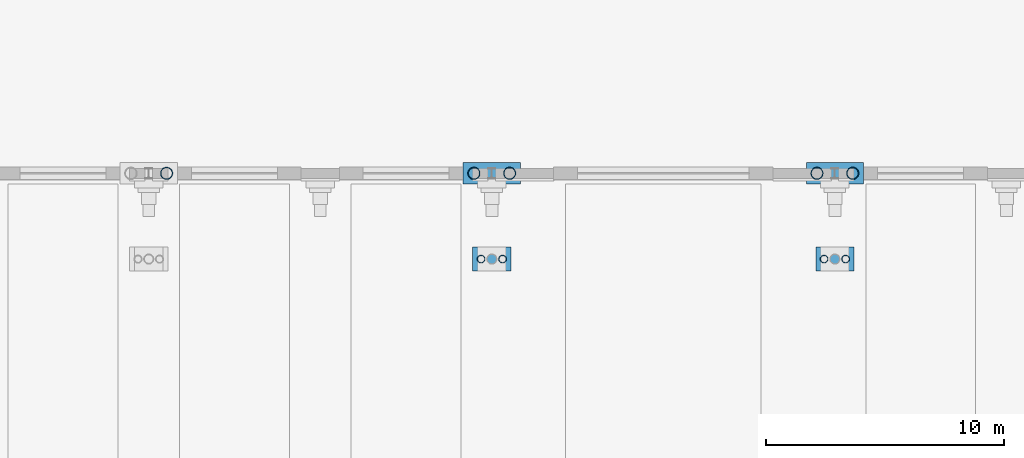
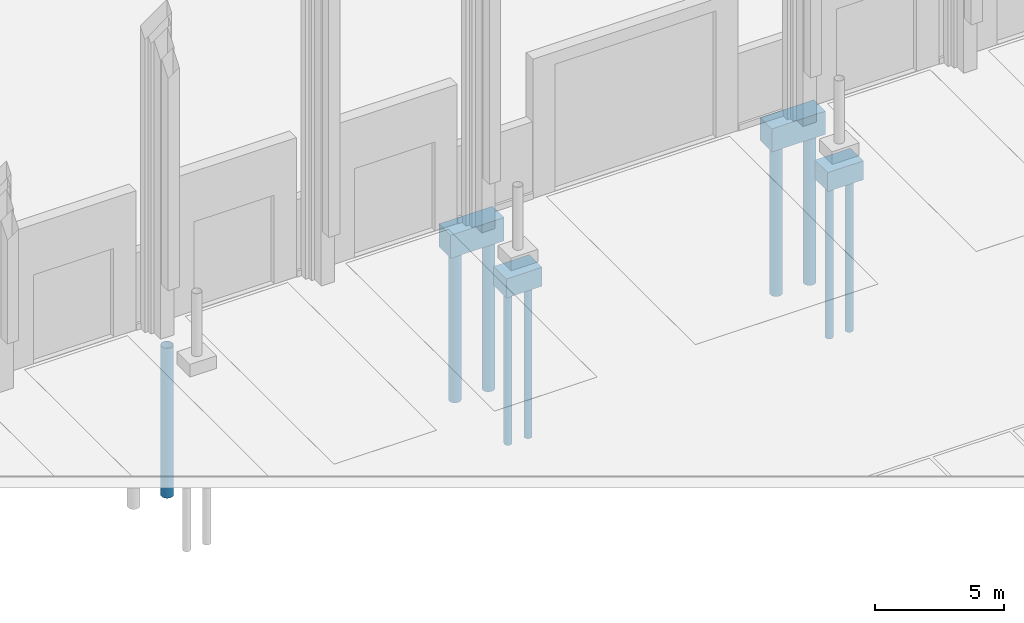
# One storey, part 16 of 148: 9 piles, 4 footings.
"""IFC4 building model written with IfcOpenShell, lengths in metres."""

from ifc_helpers import new_model, si_unit, direction, frame, origin, origin_2d, place, context, subcontext, project, spatial, rectangle, hollow_circle, extrude, material, layer, layer_set, material_profile, profile_set, type_object, element, save


model = new_model("IFC4")

# Units and contexts
model_context = context("Model", 3, precision=1e-05, world=origin(), true_north=direction((0.0, 1.0)))
body_context = subcontext(model_context, "Body", "Model", "MODEL_VIEW")
ifc_project = project(units=[si_unit("LENGTHUNIT", "METRE"), si_unit("AREAUNIT", "SQUARE_METRE"), si_unit("VOLUMEUNIT", "CUBIC_METRE"), si_unit("PLANEANGLEUNIT", "RADIAN"), si_unit("MASSUNIT", "GRAM", prefix="KILO")], contexts=[model_context])

# Site, building, storey
site_placement = place(None, origin())
site = spatial("IfcSite", under=ifc_project, at=site_placement, CompositionType="ELEMENT")
building_placement = place(site_placement, origin())
building = spatial("IfcBuilding", under=site, at=building_placement, Name="Kupolbacken Congress Centre", CompositionType="ELEMENT")
storey_placement = place(building_placement, origin())
storey = spatial("IfcBuildingStorey", under=building, at=storey_placement, Name="L00", CompositionType="ELEMENT", Elevation=0.0)

# Footings
ifc_material_1 = material(Name="Concrete C30/37", Category="concrete")
ifc_layer_1 = layer(ifc_material_1, 1.10009765625)
ifc_layer_set_1 = layer_set([ifc_layer_1], Name="Concrete C30/37")
footing_type_1 = type_object("IfcFootingType", Name="PC2 pile cap 2.40 x 0.90 x 1.10 m", PredefinedType="PILE_CAP", material=ifc_layer_set_1)
for number, where, z_axis, x_axis, name in (
    (1, (136.800048828125, 43.199951171875, -1.400146484375), (0.0, 0.0, 1.0), (1.0, 0.0, 0.0), "S/fnd/C-H-T4S/cap"),
    (2, (151.199951171875, 43.199951171875, -1.400146484375), (0.0, 0.0, 1.0), (1.0, 0.0, 0.0), "S/fnd/C-H-T5S/cap"),
):
    element("IfcFooting", number, at=place(storey_placement, frame(where, z_axis=z_axis, x_axis=x_axis)), inside=storey, type_object=footing_type_1, Name=name, PredefinedType="PILE_CAP", context=body_context, shape_type="SweptSolid", body=[
        extrude(rectangle(XDim=2.39990234375, YDim=0.89990234375, at=origin_2d()), origin(), (0.0, 0.0, 1.0), 1.10009765625),
    ])
ifc_material_2 = material(Name="Concrete C30/37", Category="concrete")
ifc_layer_2 = layer(ifc_material_2, 0.89990234375)
ifc_layer_set_2 = layer_set([ifc_layer_2], Name="Concrete C30/37")
footing_type_2 = type_object("IfcFootingType", Name="PC7 pile cap 1.60 x 1.00 x 0.90 m", PredefinedType="PILE_CAP", material=ifc_layer_set_2)
for number, where, z_axis, x_axis, name in (
    (3, (136.800048828125, 39.60009765625, -1.199951171875), (0.0, 0.0, 1.0), (1.0, 0.0, 0.0), "MS/M4S/fnd/cap"),
    (4, (151.199951171875, 39.60009765625, -1.199951171875), (0.0, 0.0, 1.0), (1.0, 0.0, 0.0), "MS/M5S/fnd/cap"),
):
    element("IfcFooting", number, at=place(storey_placement, frame(where, z_axis=z_axis, x_axis=x_axis)), inside=storey, type_object=footing_type_2, Name=name, PredefinedType="PILE_CAP", context=body_context, shape_type="SweptSolid", body=[
        extrude(rectangle(XDim=1.60009765625, YDim=1.0, at=origin_2d()), origin(), (0.0, 0.0, 1.0), 0.89990234375),
    ])

# Piles
ifc_material_3 = material(Name="Steel S355", Category="steel")
ifc_material_profile_1 = material_profile(ifc_material_3, hollow_circle(Radius=0.161865234375, WallThickness=0.012451171875, at=origin_2d()), Name="CHS 323.9 x 12.5")
ifc_profile_set_1 = profile_set([ifc_material_profile_1], Name="Steel S355")
pile_type_1 = type_object("IfcPileType", Name="PL1 steel tube pile CHS 323.9 x 12.5", PredefinedType="BORED", material=ifc_profile_set_1)
for number, where, z_axis, x_axis, name in (
    (5, (136.35009765625, 39.60009765625, -1.199951171875), (0.0, 0.0, -1.0), (1.0, 0.0, 0.0), "MS/M4S/fnd/pile1"),
    (6, (137.25, 39.60009765625, -1.199951171875), (0.0, 0.0, -1.0), (1.0, 0.0, 0.0), "MS/M4S/fnd/pile2"),
    (7, (150.75, 39.60009765625, -1.199951171875), (0.0, 0.0, -1.0), (1.0, 0.0, 0.0), "MS/M5S/fnd/pile1"),
    (8, (151.64990234375, 39.60009765625, -1.199951171875), (0.0, 0.0, -1.0), (1.0, 0.0, 0.0), "MS/M5S/fnd/pile2"),
):
    element("IfcPile", number, at=place(storey_placement, frame(where, z_axis=z_axis, x_axis=x_axis)), inside=storey, type_object=pile_type_1, Name=name, PredefinedType="BORED", context=body_context, shape_type="SweptSolid", body=[
        extrude(hollow_circle(Radius=0.161865234375, WallThickness=0.012451171875, at=origin_2d()), origin(), (0.0, 0.0, 1.0), 7.300048828125),
    ])
ifc_material_4 = material(Name="Steel S355", Category="steel")
ifc_material_profile_2 = material_profile(ifc_material_4, hollow_circle(Radius=0.25390625, WallThickness=0.02001953125, at=origin_2d()), Name="CHS 508 x 20")
ifc_profile_set_2 = profile_set([ifc_material_profile_2], Name="Steel S355")
pile_type_2 = type_object("IfcPileType", Name="PL3 steel tube pile CHS 508 x 20", PredefinedType="BORED", material=ifc_profile_set_2)
for number, where, z_axis, x_axis, name in (
    (9, (123.14990234375, 43.199951171875, -1.39990234375), (0.0, 0.0, -1.0), (1.0, 0.0, 0.0), "S/fnd/C-H-T3S/pile2"),
    (10, (136.050048828125, 43.199951171875, -1.39990234375), (0.0, 0.0, -1.0), (1.0, 0.0, 0.0), "S/fnd/C-H-T4S/pile1"),
    (11, (137.550048828125, 43.199951171875, -1.39990234375), (0.0, 0.0, -1.0), (1.0, 0.0, 0.0), "S/fnd/C-H-T4S/pile2"),
    (12, (150.449951171875, 43.199951171875, -1.39990234375), (0.0, 0.0, -1.0), (1.0, 0.0, 0.0), "S/fnd/C-H-T5S/pile1"),
    (13, (151.949951171875, 43.199951171875, -1.39990234375), (0.0, 0.0, -1.0), (1.0, 0.0, 0.0), "S/fnd/C-H-T5S/pile2"),
):
    element("IfcPile", number, at=place(storey_placement, frame(where, z_axis=z_axis, x_axis=x_axis)), inside=storey, type_object=pile_type_2, Name=name, PredefinedType="BORED", context=body_context, shape_type="SweptSolid", body=[
        extrude(hollow_circle(Radius=0.25390625, WallThickness=0.02001953125, at=origin_2d()), origin(), (0.0, 0.0, 1.0), 7.10009765625),
    ])

save(model, "model.ifc")
